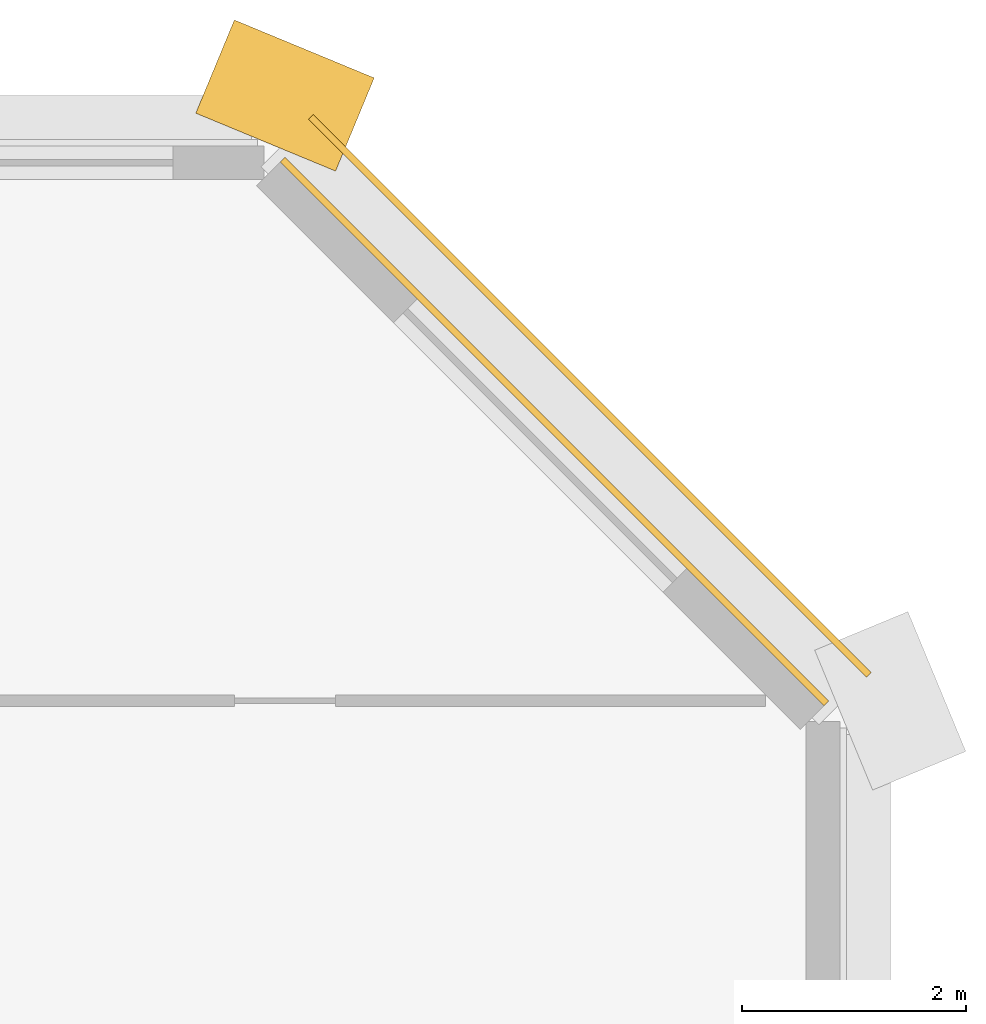
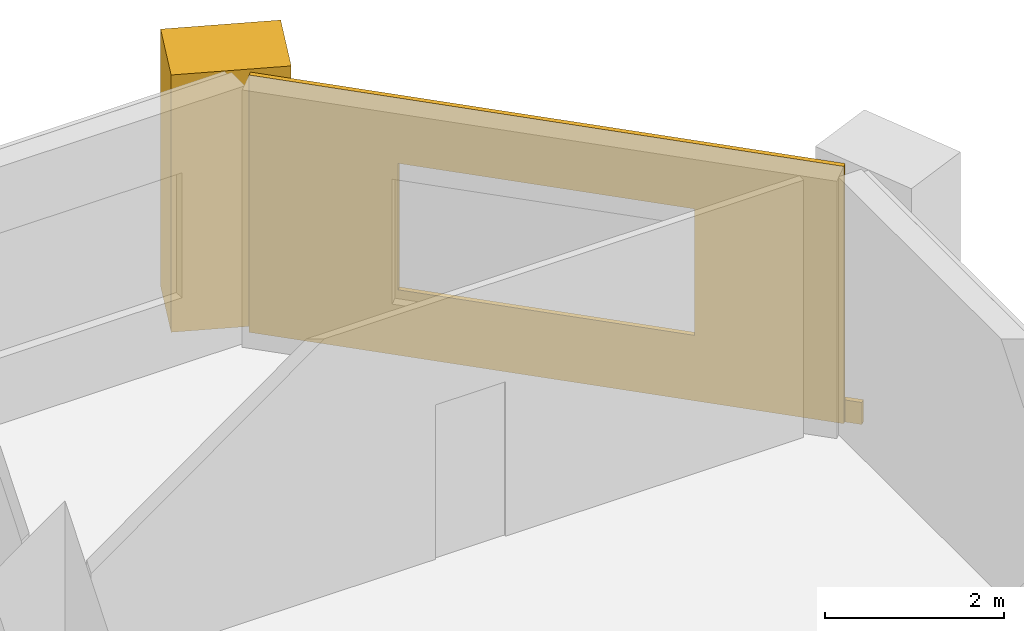
# One storey, part 11 of 11: 3 coverings.
"""IFC4 building model written with IfcOpenShell, lengths in metres."""

from ifc_helpers import new_model, si_unit, direction, frame, frame_2d, origin, place, context, subcontext, project, spatial, polyline, rectangle, outline, extrude, material, layer, layer_set, type_object, element, save


model = new_model("IFC4")

# Units and contexts
model_context = context("Model", 3, precision=1e-05, world=origin(), true_north=direction((0.0, 1.0)))
body_context = subcontext(model_context, "Body", "Model", "MODEL_VIEW")
ifc_project = project(units=[si_unit("LENGTHUNIT", "METRE"), si_unit("AREAUNIT", "SQUARE_METRE"), si_unit("VOLUMEUNIT", "CUBIC_METRE"), si_unit("PLANEANGLEUNIT", "RADIAN"), si_unit("MASSUNIT", "GRAM", prefix="KILO")], contexts=[model_context])

# Site, building, storey
site_placement = place(None, origin())
site = spatial("IfcSite", under=ifc_project, at=site_placement, CompositionType="ELEMENT")
building_placement = place(site_placement, origin())
building = spatial("IfcBuilding", under=site, at=building_placement, Name="Tabaq Tower and Sports Hall", CompositionType="ELEMENT")
storey_placement = place(building_placement, frame((0.0, 0.0, 72.60009765625)))
storey = spatial("IfcBuildingStorey", under=building, at=storey_placement, Name="L16", CompositionType="ELEMENT", Elevation=72.60009765625)

# Coverings
ifc_material_1 = material(Name="Precast concrete C60/75", Category="concrete")
ifc_layer_1 = layer(ifc_material_1, 0.06005859375)
ifc_layer_set_1 = layer_set([ifc_layer_1], Name="Edge beam cladding 60")
covering_type_1 = type_object("IfcCoveringType", Name="Edge beam cladding 60", PredefinedType="CLADDING", material=ifc_layer_set_1)
covering_1_placement = place(storey_placement, frame((48.41015625, 43.432373046875, -0.300048828125), z_axis=(0.0, 0.0, 1.0), x_axis=(-0.707106781187, 0.707106781187, 0.0)))
element("IfcCovering", 1, at=covering_1_placement, inside=storey, type_object=covering_type_1, Name="Edge beam cladding L16 3", PredefinedType="CLADDING", context=body_context, shape_type="SweptSolid", body=[
    extrude(rectangle(XDim=7.03955078125, YDim=0.06005859375, at=frame_2d((3.519775390625, 0.0))), origin(), (0.0, 0.0, 1.0), 0.300048828125),
])
ifc_material_2 = material(Name="White precast concrete C60/75", Category="concrete")
covering_type_2 = type_object("IfcCoveringType", Name="Pier cladding hung 1350x900", PredefinedType="CLADDING", material=ifc_material_2)
covering_2_placement = place(storey_placement, frame((43.82373046875, 48.341796875, 0.0), z_axis=(0.0, 0.0, 1.0), x_axis=(-0.923893411637, 0.382649923473, 0.0)))
element("IfcCovering", 2, at=covering_2_placement, inside=storey, type_object=covering_type_2, Name="Hung pier cladding 8/9", PredefinedType="CLADDING", context=body_context, shape_type="SweptSolid", body=[
    extrude(rectangle(XDim=1.35009765625, YDim=0.89990234375, at=frame_2d((0.675048828125, 0.0))), origin(), (0.0, 0.0, 1.0), 3.5),
])
ifc_material_3 = material(Name="Precast concrete C60/75", Category="concrete")
ifc_layer_2 = layer(ifc_material_3, 0.06005859375)
ifc_layer_set_2 = layer_set([ifc_layer_2], Name="White precast cladding panel 60 C60/75")
covering_type_3 = type_object("IfcCoveringType", Name="White precast cladding panel 60 C60/75", PredefinedType="CLADDING", material=ifc_layer_set_2)
covering_3_placement = place(storey_placement, frame((48.0283203125, 43.177734375, 0.0), z_axis=(0.0, 0.0, 1.0), x_axis=(-0.707106781187, 0.707106781187, 0.0)))
element("IfcCovering", 3, at=covering_3_placement, inside=storey, type_object=covering_type_3, Name="White precast cladding panel L16 wall03", PredefinedType="CLADDING", context=body_context, shape_type="SweptSolid", body=[
    extrude(outline(polyline([(0.0, 0.0), (6.85986328125, 0.0), (6.85986328125, 3.5), (0.0, 3.5), (0.0, 0.0)]), holes=[polyline([(1.7197265625, 0.889892578125), (1.7197265625, 2.60986328125), (5.139892578125, 2.60986328125), (5.139892578125, 0.889892578125), (1.7197265625, 0.889892578125)])]), frame((0.0, 0.030029296875, 0.0), z_axis=(0.0, -1.0, 0.0), x_axis=(1.0, 0.0, 0.0)), (0.0, 0.0, 1.0), 0.06005859375),
])

save(model, "model.ifc")
